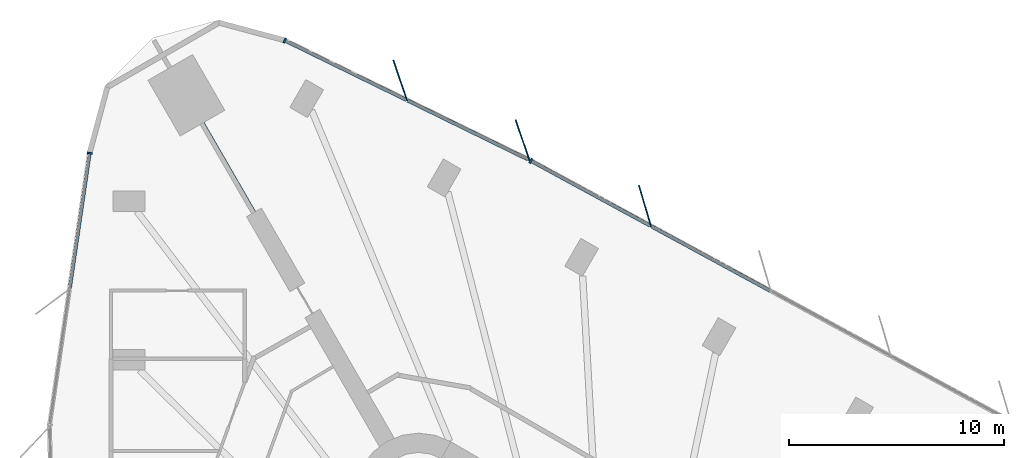
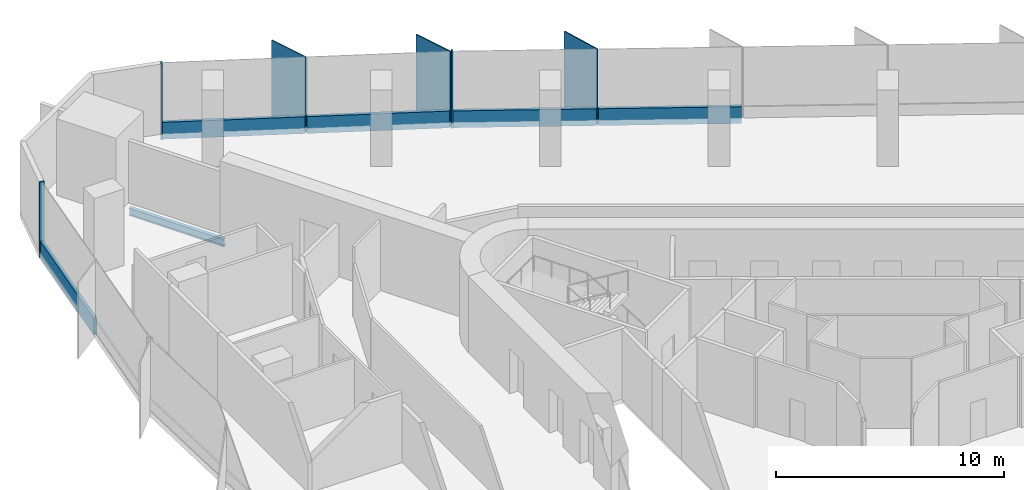
# One storey, part 6 of 14: 11 members, 1 beam, 3 elements without a shape of their own.
"""IFC4 building model written with IfcOpenShell, lengths in metres."""

from ifc_helpers import new_model, si_unit, direction, frame, origin, origin_2d, place, context, subcontext, project, spatial, rectangle, i_section, extrude, material, material_profile, profile_set, type_object, element, aggregate, save


model = new_model("IFC4")

# Units and contexts
model_context = context("Model", 3, precision=1e-05, world=origin(), true_north=direction((0.0, 1.0)))
body_context = subcontext(model_context, "Body", "Model", "MODEL_VIEW")
ifc_project = project(units=[si_unit("LENGTHUNIT", "METRE"), si_unit("AREAUNIT", "SQUARE_METRE"), si_unit("VOLUMEUNIT", "CUBIC_METRE"), si_unit("PLANEANGLEUNIT", "RADIAN"), si_unit("MASSUNIT", "GRAM", prefix="KILO")], contexts=[model_context])

# Site, building, storey
site_placement = place(None, origin())
site = spatial("IfcSite", under=ifc_project, at=site_placement, CompositionType="ELEMENT")
building_placement = place(site_placement, origin())
building = spatial("IfcBuilding", under=site, at=building_placement, Name="Tanit Gate Tower", CompositionType="ELEMENT")
storey_placement = place(building_placement, frame((0.0, 0.0, 152.10009765625)))
storey = spatial("IfcBuildingStorey", under=building, at=storey_placement, Name="L33", CompositionType="ELEMENT", Elevation=152.10009765625)

# Curtain wall, member
ifc_material_1 = material(Name="Aluminium bronze anodised and glass", Category="aluminium")
curtain_wall_type = type_object("IfcCurtainWallType", Name="Curtain wall typical low", PredefinedType="NOTDEFINED", material=ifc_material_1)
curtain_wall_1_placement = place(storey_placement, origin())
curtain_wall_1 = element("IfcCurtainWall", 1, at=curtain_wall_1_placement, inside=storey, type_object=curtain_wall_type, Name="Curtain wall L33 NE2", PredefinedType="NOTDEFINED")
ifc_material_2 = material(Name="Aluminium bronze anodised", Category="aluminium")
ifc_material_profile_1 = material_profile(ifc_material_2, rectangle(XDim=2.0, YDim=0.055908203125, at=origin_2d()), Name="56x2000 bronze fin mullion")
ifc_profile_set_1 = profile_set([ifc_material_profile_1], Name="Aluminium bronze anodised")
member_type_1 = type_object("IfcMemberType", Name="FIN MULLION 56x2000 bronze", PredefinedType="MULLION", material=ifc_profile_set_1)
member_1_placement = place(storey_placement, frame((1.43896484375, 29.34228515625, -0.300048828125), z_axis=(0.0, 0.0, 1.0), x_axis=(0.28377270479, -0.958891574692, 0.0)))
member_1 = element("IfcMember", 2, at=member_1_placement, type_object=member_type_1, Name="Fin mullion L33 NE2.6", PredefinedType="MULLION", context=body_context, shape_type="SweptSolid", body=[
    extrude(rectangle(XDim=2.0, YDim=0.055908203125, at=origin_2d()), origin(), (0.0, 0.0, 1.0), 4.050048828125),
])

# Curtain wall, members
curtain_wall_2_placement = place(storey_placement, origin())
curtain_wall_2 = element("IfcCurtainWall", 3, at=curtain_wall_2_placement, inside=storey, type_object=curtain_wall_type, Name="Curtain wall L33 NE3", PredefinedType="NOTDEFINED")
member_2_placement = place(storey_placement, frame((-4.260498046875, 32.402099609375, -0.300048828125), z_axis=(0.0, 0.0, 1.0), x_axis=(0.324672602566, -0.945826464603, 0.0)))
member_2 = element("IfcMember", 4, at=member_2_placement, type_object=member_type_1, Name="Fin mullion L33 NE3.1", PredefinedType="MULLION", context=body_context, shape_type="SweptSolid", body=[
    extrude(rectangle(XDim=2.0, YDim=0.055908203125, at=origin_2d()), origin(), (0.0, 0.0, 1.0), 4.050048828125),
])
member_3_placement = place(storey_placement, frame((-9.957275390625, 35.187255859375, -0.300048828125), z_axis=(0.0, 0.0, 1.0), x_axis=(0.324672602566, -0.945826464603, 0.0)))
member_3 = element("IfcMember", 5, at=member_3_placement, type_object=member_type_1, Name="Fin mullion L33 NE3.2", PredefinedType="MULLION", context=body_context, shape_type="SweptSolid", body=[
    extrude(rectangle(XDim=2.0, YDim=0.055908203125, at=origin_2d()), origin(), (0.0, 0.0, 1.0), 4.050048828125),
])

# Member
ifc_material_3 = material(Name="Aluminium bronze anodised", Category="aluminium")
ifc_material_profile_2 = material_profile(ifc_material_3, rectangle(XDim=0.239990234375, YDim=0.080078125, at=origin_2d()), Name="80x240 bronze mullion")
ifc_profile_set_2 = profile_set([ifc_material_profile_2], Name="Aluminium bronze anodised")
member_type_2 = type_object("IfcMemberType", Name="Mullion 80x240 typical low", PredefinedType="MULLION", material=ifc_profile_set_2)
member_4_placement = place(storey_placement, frame((-3.8720703125, 31.441162109375, -0.300048828125), z_axis=(0.0, 0.0, 1.0), x_axis=(-0.477381131015, -0.87869633876, 0.0)))
member_4 = element("IfcMember", 6, at=member_4_placement, type_object=member_type_2, Name="Mullion L33 NE2.7", PredefinedType="MULLION", context=body_context, shape_type="SweptSolid", body=[
    extrude(rectangle(XDim=0.239990234375, YDim=0.080078125, at=origin_2d()), origin(), (0.0, 0.0, 1.0), 4.050048828125),
])

member_5_placement = place(storey_placement, frame((-15.336669921875, 37.048095703125, -0.300048828125), z_axis=(0.0, 0.0, 1.0), x_axis=(-0.439222108006, -0.898378505886, 0.0)))
member_5 = element("IfcMember", 7, at=member_5_placement, type_object=member_type_2, Name="Mullion L33 NE3.3", PredefinedType="MULLION", context=body_context, shape_type="SweptSolid", body=[
    extrude(rectangle(XDim=0.239990234375, YDim=0.080078125, at=origin_2d()), origin(), (0.0, 0.0, 1.0), 4.050048828125),
])

# Curtain wall, member
curtain_wall_3_placement = place(storey_placement, origin())
curtain_wall_3 = element("IfcCurtainWall", 8, at=curtain_wall_3_placement, inside=storey, type_object=curtain_wall_type, Name="Curtain wall L33 W1", PredefinedType="NOTDEFINED")
member_6_placement = place(storey_placement, frame((-24.42041015625, 31.802001953125, -0.300048828125), z_axis=(0.0, 0.0, 1.0), x_axis=(0.989399755479, -0.145217505343, 0.0)))
member_6 = element("IfcMember", 9, at=member_6_placement, type_object=member_type_2, Name="Mullion L33 W1.1", PredefinedType="MULLION", context=body_context, shape_type="SweptSolid", body=[
    extrude(rectangle(XDim=0.239990234375, YDim=0.080078125, at=origin_2d()), origin(), (0.0, 0.0, 1.0), 4.050048828125),
])

# Beam
ifc_material_4 = material(Name="Steel S355", Category="steel")
ifc_material_profile_3 = material_profile(ifc_material_4, i_section(OverallWidth=0.179931640625, OverallDepth=0.39990234375, WebThickness=0.008544921875, FlangeThickness=0.013427734375, FilletRadius=0.02099609375, at=origin_2d()), Name="IPE 400")
ifc_profile_set_3 = profile_set([ifc_material_profile_3], Name="Steel S355")
beam_type = type_object("IfcBeamType", Name="RADIAL GIRDER IPE 400 S355", PredefinedType="BEAM", material=ifc_profile_set_3)
beam_placement = place(storey_placement, frame((-19.1650390625, 33.19482421875, -0.5), z_axis=(0.499998569178, -0.866026229868, 0.0), x_axis=(0.866026229868, 0.499998569178, 0.0)))
element("IfcBeam", 10, at=beam_placement, inside=storey, type_object=beam_type, Name="RADIAL GIRDER", PredefinedType="BEAM", context=body_context, shape_type="SweptSolid", body=[
    extrude(i_section(OverallWidth=0.179931640625, OverallDepth=0.39990234375, WebThickness=0.008544921875, FlangeThickness=0.013427734375, FilletRadius=0.02099609375, at=origin_2d()), origin(), (0.0, 0.0, 1.0), 4.79638671875),
])

# Member
ifc_material_5 = material(Name="Aluminium bronze anodised", Category="aluminium")
ifc_material_profile_4 = material_profile(ifc_material_5, rectangle(XDim=0.159912109375, YDim=0.89990234375, at=origin_2d()), Name="160x900 bronze transom")
ifc_profile_set_4 = profile_set([ifc_material_profile_4], Name="Aluminium bronze anodised")
member_type_3 = type_object("IfcMemberType", Name="Transom 160x900 typical low", PredefinedType="USERDEFINED", material=ifc_profile_set_4)
member_7_placement = place(storey_placement, frame((7.26953125, 25.38818359375, 0.14990234375), z_axis=(-0.878701089496, 0.477372386422, 0.0), x_axis=(-0.477372386422, -0.878701089496, 0.0)))
member_7 = element("IfcMember", 11, at=member_7_placement, type_object=member_type_3, Name="Transom L33 NE2.5", ObjectType="TRANSOM", PredefinedType="USERDEFINED", context=body_context, shape_type="SweptSolid", body=[
    extrude(rectangle(XDim=0.159912109375, YDim=0.89990234375, at=origin_2d()), origin(), (0.0, 0.0, 1.0), 6.27978515625),
])

member_8_placement = place(storey_placement, frame((1.68115234375, 28.424072265625, 0.14990234375), z_axis=(-0.878701089496, 0.477372386422, 0.0), x_axis=(-0.477372386422, -0.878701089496, 0.0)))
member_8 = element("IfcMember", 12, at=member_8_placement, type_object=member_type_3, Name="Transom L33 NE2.6", ObjectType="TRANSOM", PredefinedType="USERDEFINED", context=body_context, shape_type="SweptSolid", body=[
    extrude(rectangle(XDim=0.159912109375, YDim=0.89990234375, at=origin_2d()), origin(), (0.0, 0.0, 1.0), 6.27978515625),
])

aggregate(curtain_wall_1, [member_1, member_4, member_7, member_8])

member_9_placement = place(storey_placement, frame((-3.97900390625, 31.495361328125, 0.14990234375), z_axis=(-0.898384360919, 0.439210132005, 0.0), x_axis=(-0.439210132005, -0.898384360919, 0.0)))
member_9 = element("IfcMember", 13, at=member_9_placement, type_object=member_type_3, Name="Transom L33 NE3.1", ObjectType="TRANSOM", PredefinedType="USERDEFINED", context=body_context, shape_type="SweptSolid", body=[
    extrude(rectangle(XDim=0.159912109375, YDim=0.89990234375, at=origin_2d()), origin(), (0.0, 0.0, 1.0), 6.26123046875),
])

member_10_placement = place(storey_placement, frame((-9.67578125, 34.280517578125, 0.14990234375), z_axis=(-0.898384360919, 0.439210132005, 0.0), x_axis=(-0.439210132005, -0.898384360919, 0.0)))
member_10 = element("IfcMember", 14, at=member_10_placement, type_object=member_type_3, Name="Transom L33 NE3.2", ObjectType="TRANSOM", PredefinedType="USERDEFINED", context=body_context, shape_type="SweptSolid", body=[
    extrude(rectangle(XDim=0.159912109375, YDim=0.89990234375, at=origin_2d()), origin(), (0.0, 0.0, 1.0), 6.26123046875),
])

aggregate(curtain_wall_2, [member_2, member_3, member_5, member_9, member_10])

member_11_placement = place(storey_placement, frame((-24.42626953125, 31.76220703125, 0.14990234375), z_axis=(-0.145221203289, -0.989399212712, 0.0), x_axis=(0.989399212712, -0.145221203289, 0.0)))
member_11 = element("IfcMember", 15, at=member_11_placement, type_object=member_type_3, Name="Transom L33 W1.1", ObjectType="TRANSOM", PredefinedType="USERDEFINED", context=body_context, shape_type="SweptSolid", body=[
    extrude(rectangle(XDim=0.159912109375, YDim=0.89990234375, at=origin_2d()), origin(), (0.0, 0.0, 1.0), 6.312744140625),
])

aggregate(curtain_wall_3, [member_6, member_11])

save(model, "model.ifc")
